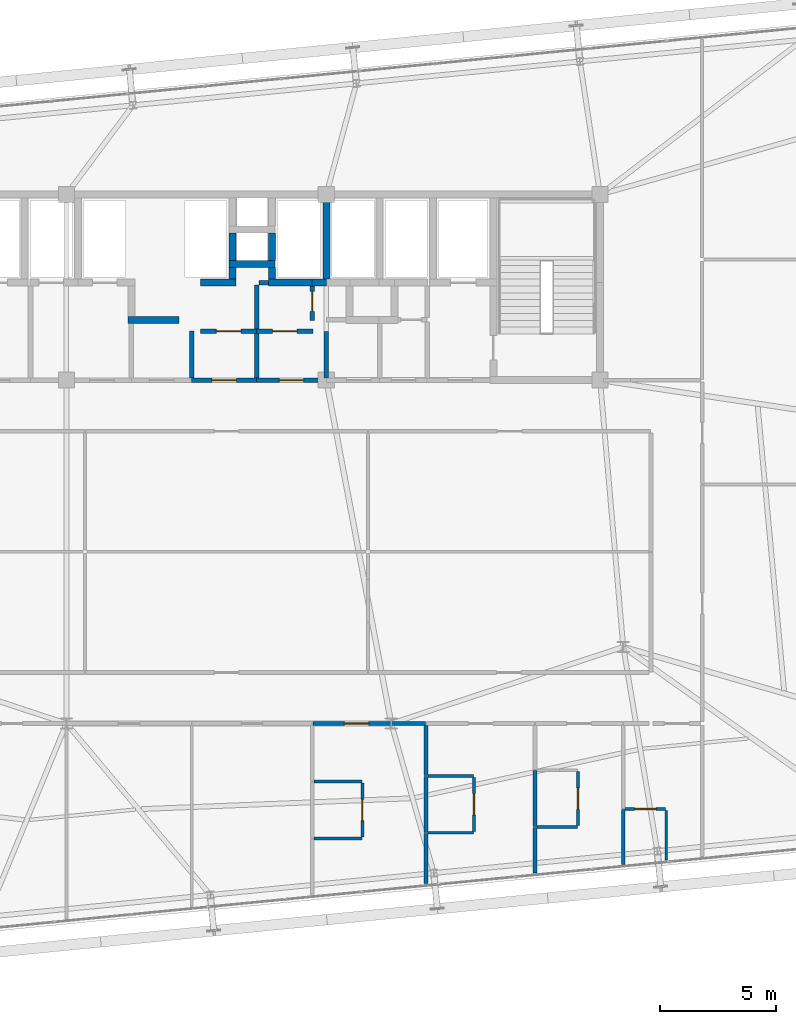
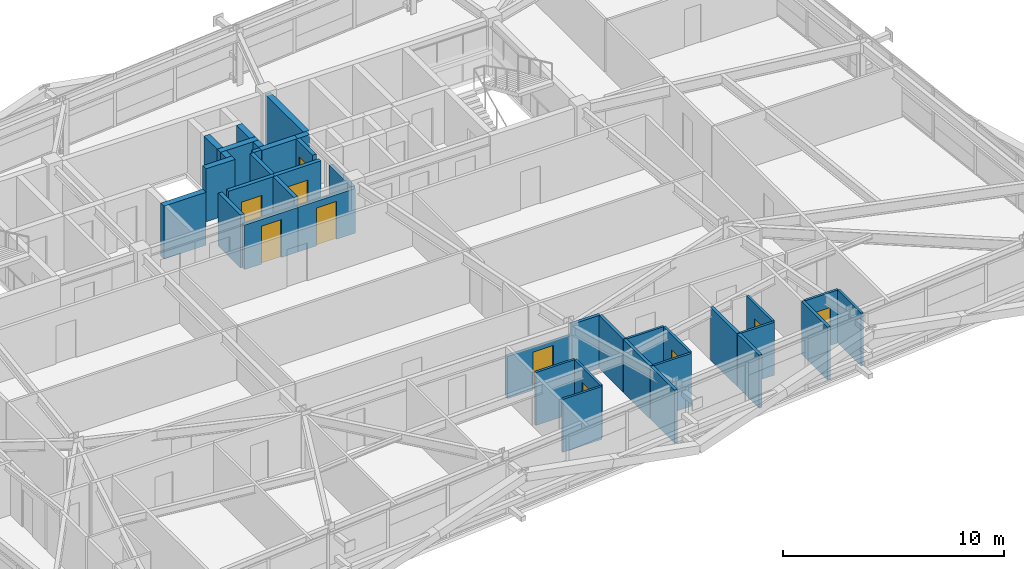
# One storey, part 48 of 54: 38 walls, 10 doors, 10 openings.
"""IFC4 building model written with IfcOpenShell, lengths in metres."""

from ifc_helpers import new_model, si_unit, direction, frame, frame_2d, origin, place, context, subcontext, project, spatial, rectangle, extrude, source, transform, mapped, material, layer, layer_set, type_object, element, fill, save


model = new_model("IFC4")

# Units and contexts
model_context = context("Model", 3, precision=1e-05, world=origin(), true_north=direction((0.0, 1.0)))
body_context = subcontext(model_context, "Body", "Model", "MODEL_VIEW")
ifc_project = project(units=[si_unit("LENGTHUNIT", "METRE"), si_unit("AREAUNIT", "SQUARE_METRE"), si_unit("VOLUMEUNIT", "CUBIC_METRE"), si_unit("PLANEANGLEUNIT", "RADIAN"), si_unit("MASSUNIT", "GRAM", prefix="KILO")], contexts=[model_context])

# Site, building, storey
site_placement = place(None, origin())
site = spatial("IfcSite", under=ifc_project, at=site_placement, CompositionType="ELEMENT")
building_placement = place(site_placement, origin())
building = spatial("IfcBuilding", under=site, at=building_placement, Name="Taldren Reach Tower", CompositionType="ELEMENT")
storey_placement = place(building_placement, frame((0.0, 0.0, 102.89990234375)))
storey = spatial("IfcBuildingStorey", under=building, at=storey_placement, Name="L31", CompositionType="ELEMENT", Elevation=102.89990234375)

# Wall
ifc_material_1 = material(Name="Concrete S50 (50 MPa)", Category="concrete")
ifc_layer_1 = layer(ifc_material_1, 0.199951171875)
ifc_layer_set_1 = layer_set([ifc_layer_1], Name="Concrete S50 (50 MPa)")
wall_type_1 = type_object("IfcWallType", Name="IW-CORE-200", PredefinedType="SOLIDWALL", material=ifc_layer_set_1)
shared_shape_1 = source(origin(), body_context, "Body", "SweptSolid", [
    extrude(rectangle(XDim=2.02001953125, YDim=0.199951171875, at=frame_2d((1.010009765625, 0.0))), origin(), (0.0, 0.0, 1.0), 2.93017578125),
])
wall_1_placement = place(storey_placement, frame((33.39990234375, 26.1201171875, 0.0), z_axis=(0.0, 0.0, 1.0), x_axis=(0.0, -1.0, 0.0)))
element("IfcWall", 1, at=wall_1_placement, inside=storey, type_object=wall_type_1, Name="Rear Core Shear Wall W-INT-L31-044", PredefinedType="SOLIDWALL", context=body_context, shape_type="MappedRepresentation", body=[
    mapped(shared_shape_1, transform((0.0, 0.0, 0.0), scale=1.0)),
])

# Wall, opening, door
shared_shape_2 = source(origin(), body_context, "Body", "SweptSolid", [
    extrude(rectangle(XDim=2.419921875, YDim=0.199951171875, at=frame_2d((1.2099609375, 0.0))), origin(), (0.0, 0.0, 1.0), 2.93017578125),
])
wall_2_placement = place(storey_placement, frame((33.780029296875, 26.10009765625, 0.0), z_axis=(0.0, 0.0, 1.0), x_axis=(1.0, 0.0, 0.0)))
wall_2 = element("IfcWall", 2, at=wall_2_placement, inside=storey, type_object=wall_type_1, Name="Rear Core Shear Wall W-INT-L31-046", PredefinedType="SOLIDWALL", context=body_context, shape_type="MappedRepresentation", body=[
    mapped(shared_shape_2, transform((0.0, 0.0, 0.0), scale=1.0)),
])
shared_shape_3 = source(origin(), body_context, "Body", "SweptSolid", [
    extrude(rectangle(XDim=1.050048828125, YDim=2.10009765625, at=frame_2d((0.52490234375, 1.050048828125))), frame((0.0, 0.10986328125, 0.0), z_axis=(0.0, -1.0, 0.0), x_axis=(1.0, 0.0, 0.0)), (0.0, 0.0, 1.0), 0.219970703125),
])
opening_1_placement = place(wall_2_placement, frame((0.68505859375, 0.0, 0.0)))
opening_1 = element("IfcOpeningElement", 3, at=opening_1_placement, cuts=wall_2, Name="Opening DF-105", PredefinedType="OPENING", context=body_context, shape_type="MappedRepresentation", body=[
    mapped(shared_shape_3, transform((0.0, 0.0, 0.0), scale=1.0)),
])
ifc_material_2 = material(Name="Fire-Rated Care and Stair Exit Door")
door_type_1 = type_object("IfcDoorType", Name="ID-FIRE-105", OperationType="NOTDEFINED", PredefinedType="DOOR", material=ifc_material_2)
shared_shape_4 = source(origin(), body_context, "Body", "SweptSolid", [
    extrude(rectangle(XDim=1.050048828125, YDim=2.10009765625, at=frame_2d((0.52490234375, 1.050048828125))), frame((0.0, 0.02490234375, 0.0), z_axis=(0.0, -1.0, 0.0), x_axis=(1.0, 0.0, 0.0)), (0.0, 0.0, 1.0), 0.050048828125),
])
door_1_placement = place(opening_1_placement, origin())
door_1 = element("IfcDoor", 4, at=door_1_placement, inside=storey, type_object=door_type_1, Name="Interior Door DR-L31-007", OperationType="SINGLE_SWING_RIGHT", OverallHeight=2.10009765625, OverallWidth=1.050048828125, PredefinedType="DOOR", context=body_context, shape_type="MappedRepresentation", body=[
    mapped(shared_shape_4, transform((0.0, 0.0, 0.0), scale=1.0)),
])
fill(opening_1, door_1)

# Wall
shared_shape_5 = source(origin(), body_context, "Body", "SweptSolid", [
    extrude(rectangle(XDim=1.89990234375, YDim=0.199951171875, at=frame_2d((0.949951171875, 0.0))), origin(), (0.0, 0.0, 1.0), 2.93017578125),
])
wall_3_placement = place(storey_placement, frame((36.199951171875, 26.0, 0.0), z_axis=(0.0, 0.0, 1.0), x_axis=(0.0, -1.0, 0.0)))
element("IfcWall", 5, at=wall_3_placement, inside=storey, type_object=wall_type_1, Name="Rear Core Shear Wall W-INT-L31-047", PredefinedType="SOLIDWALL", context=body_context, shape_type="MappedRepresentation", body=[
    mapped(shared_shape_5, transform((0.0, 0.0, 0.0), scale=1.0)),
])

# Wall, opening, door
shared_shape_6 = source(origin(), body_context, "Body", "SweptSolid", [
    extrude(rectangle(XDim=2.800048828125, YDim=0.199951171875, at=frame_2d((1.39990234375, 0.0))), origin(), (0.0, 0.0, 1.0), 2.47021484375),
])
wall_4_placement = place(storey_placement, frame((36.199951171875, 24.0, 0.0), z_axis=(0.0, 0.0, 1.0), x_axis=(-1.0, 0.0, 0.0)))
wall_4 = element("IfcWall", 6, at=wall_4_placement, inside=storey, type_object=wall_type_1, Name="Rear Core Shear Wall W-INT-L31-048", PredefinedType="SOLIDWALL", context=body_context, shape_type="MappedRepresentation", body=[
    mapped(shared_shape_6, transform((0.0, 0.0, 0.0), scale=1.0)),
])
opening_2_placement = place(wall_4_placement, frame((0.875, 0.0, 0.0)))
opening_2 = element("IfcOpeningElement", 7, at=opening_2_placement, cuts=wall_4, Name="Opening DF-105", PredefinedType="OPENING", context=body_context, shape_type="MappedRepresentation", body=[
    mapped(shared_shape_3, transform((0.0, 0.0, 0.0), scale=1.0)),
])
door_2_placement = place(opening_2_placement, frame((1.050048828125, 0.0, 0.0), z_axis=(0.0, 0.0, 1.0), x_axis=(-1.0, 0.0, 0.0)))
door_2 = element("IfcDoor", 8, at=door_2_placement, inside=storey, type_object=door_type_1, Name="Interior Door DR-L31-008", OperationType="SINGLE_SWING_RIGHT", OverallHeight=2.10009765625, OverallWidth=1.050048828125, PredefinedType="DOOR", context=body_context, shape_type="MappedRepresentation", body=[
    mapped(shared_shape_4, transform((0.0, 0.0, 0.0), scale=1.0)),
])
fill(opening_2, door_2)

# Wall
shared_shape_7 = source(origin(), body_context, "Body", "SweptSolid", [
    extrude(rectangle(XDim=1.900146484375, YDim=0.199951171875, at=frame_2d((0.9501953125, 0.0))), origin(), (0.0, 0.0, 1.0), 2.93017578125),
])
wall_5_placement = place(storey_placement, frame((36.199951171875, 28.10009765625, 0.0), z_axis=(0.0, 0.0, 1.0), x_axis=(0.0, -1.0, 0.0)))
element("IfcWall", 9, at=wall_5_placement, inside=storey, type_object=wall_type_1, Name="Rear Core Shear Wall W-INT-L31-049", PredefinedType="SOLIDWALL", context=body_context, shape_type="MappedRepresentation", body=[
    mapped(shared_shape_7, transform((0.0, 0.0, 0.0), scale=1.0)),
])

# Wall, opening, door
shared_shape_8 = source(origin(), body_context, "Body", "SweptSolid", [
    extrude(rectangle(XDim=2.420166015625, YDim=0.199951171875, at=frame_2d((1.2099609375, 0.0))), origin(), (0.0, 0.0, 1.0), 2.93017578125),
])
wall_6_placement = place(storey_placement, frame((36.199951171875, 26.10009765625, 0.0), z_axis=(0.0, 0.0, 1.0), x_axis=(1.0, 0.0, 0.0)))
wall_6 = element("IfcWall", 10, at=wall_6_placement, inside=storey, type_object=wall_type_1, Name="Rear Core Shear Wall W-INT-L31-051", PredefinedType="SOLIDWALL", context=body_context, shape_type="MappedRepresentation", body=[
    mapped(shared_shape_8, transform((0.0, 0.0, 0.0), scale=1.0)),
])
opening_3_placement = place(wall_6_placement, frame((0.68505859375, 0.0, 0.0)))
opening_3 = element("IfcOpeningElement", 11, at=opening_3_placement, cuts=wall_6, Name="Opening DF-105", PredefinedType="OPENING", context=body_context, shape_type="MappedRepresentation", body=[
    mapped(shared_shape_3, transform((0.0, 0.0, 0.0), scale=1.0)),
])
door_3_placement = place(opening_3_placement, origin())
door_3 = element("IfcDoor", 12, at=door_3_placement, inside=storey, type_object=door_type_1, Name="Interior Door DR-L31-009", OperationType="SINGLE_SWING_RIGHT", OverallHeight=2.10009765625, OverallWidth=1.050048828125, PredefinedType="DOOR", context=body_context, shape_type="MappedRepresentation", body=[
    mapped(shared_shape_4, transform((0.0, 0.0, 0.0), scale=1.0)),
])
fill(opening_3, door_3)

# Wall
shared_shape_9 = source(origin(), body_context, "Body", "SweptSolid", [
    extrude(rectangle(XDim=2.0, YDim=0.199951171875, at=frame_2d((1.0, 0.0))), origin(), (0.0, 0.0, 1.0), 2.47021484375),
])
wall_7_placement = place(storey_placement, frame((39.199951171875, 26.10009765625, 0.0), z_axis=(0.0, 0.0, 1.0), x_axis=(0.0, -1.0, 0.0)))
element("IfcWall", 13, at=wall_7_placement, inside=storey, type_object=wall_type_1, Name="Rear Core Shear Wall W-INT-L31-052", PredefinedType="SOLIDWALL", context=body_context, shape_type="MappedRepresentation", body=[
    mapped(shared_shape_9, transform((0.0, 0.0, 0.0), scale=1.0)),
])

# Wall, opening, door
shared_shape_10 = source(origin(), body_context, "Body", "SweptSolid", [
    extrude(rectangle(XDim=3.0, YDim=0.199951171875, at=frame_2d((1.5, 0.0))), origin(), (0.0, 0.0, 1.0), 2.47021484375),
])
wall_8_placement = place(storey_placement, frame((39.199951171875, 24.0, 0.0), z_axis=(0.0, 0.0, 1.0), x_axis=(-1.0, 0.0, 0.0)))
wall_8 = element("IfcWall", 14, at=wall_8_placement, inside=storey, type_object=wall_type_1, Name="Rear Core Shear Wall W-INT-L31-053", PredefinedType="SOLIDWALL", context=body_context, shape_type="MappedRepresentation", body=[
    mapped(shared_shape_10, transform((0.0, 0.0, 0.0), scale=1.0)),
])
opening_4_placement = place(wall_8_placement, frame((0.97509765625, 0.0, 0.0)))
opening_4 = element("IfcOpeningElement", 15, at=opening_4_placement, cuts=wall_8, Name="Opening DF-105", PredefinedType="OPENING", context=body_context, shape_type="MappedRepresentation", body=[
    mapped(shared_shape_3, transform((0.0, 0.0, 0.0), scale=1.0)),
])
door_4_placement = place(opening_4_placement, frame((1.050048828125, 0.0, 0.0), z_axis=(0.0, 0.0, 1.0), x_axis=(-1.0, 0.0, 0.0)))
door_4 = element("IfcDoor", 16, at=door_4_placement, inside=storey, type_object=door_type_1, Name="Interior Door DR-L31-010", OperationType="SINGLE_SWING_RIGHT", OverallHeight=2.10009765625, OverallWidth=1.050048828125, PredefinedType="DOOR", context=body_context, shape_type="MappedRepresentation", body=[
    mapped(shared_shape_4, transform((0.0, 0.0, 0.0), scale=1.0)),
])
fill(opening_4, door_4)

ifc_material_3 = material(Name="Insulated Residential Stud Partition", Category="gypsum")
ifc_layer_2 = layer(ifc_material_3, 0.1201171875)
ifc_layer_set_2 = layer_set([ifc_layer_2], Name="Insulated Residential Stud Partition")
wall_type_2 = type_object("IfcWallType", Name="IW-PART-120", PredefinedType="PARTITIONING", material=ifc_layer_set_2)
shared_shape_11 = source(origin(), body_context, "Body", "SweptSolid", [
    extrude(rectangle(XDim=2.330078125, YDim=0.1201171875, at=frame_2d((1.1650390625, 0.0))), origin(), (0.0, 0.0, 1.0), 2.93017578125),
])
wall_9_placement = place(storey_placement, frame((40.756103515625, 4.30810546875, 0.0), z_axis=(0.0, 0.0, 1.0), x_axis=(0.0, 1.0, 0.0)))
wall_9 = element("IfcWall", 17, at=wall_9_placement, inside=storey, type_object=wall_type_2, Name="Interior Partition Wall W-INT-L31-110", PredefinedType="PARTITIONING", context=body_context, shape_type="MappedRepresentation", body=[
    mapped(shared_shape_11, transform((0.0, 0.0, 0.0), scale=1.0)),
])
shared_shape_12 = source(origin(), body_context, "Body", "SweptSolid", [
    extrude(rectangle(XDim=0.919921875, YDim=2.10009765625, at=frame_2d((0.4599609375, 1.050048828125))), frame((0.0, 0.070068359375, 0.0), z_axis=(0.0, -1.0, 0.0), x_axis=(1.0, 0.0, 0.0)), (0.0, 0.0, 1.0), 0.14013671875),
])
opening_5_placement = place(wall_9_placement, frame((0.705078125, 0.0, 0.0)))
opening_5 = element("IfcOpeningElement", 18, at=opening_5_placement, cuts=wall_9, Name="Opening DI-092", PredefinedType="OPENING", context=body_context, shape_type="MappedRepresentation", body=[
    mapped(shared_shape_12, transform((0.0, 0.0, 0.0), scale=1.0)),
])
ifc_material_4 = material(Name="Solid-Core Timber Suite Door", Category="wood")
door_type_2 = type_object("IfcDoorType", Name="ID-INT-092", OperationType="NOTDEFINED", PredefinedType="DOOR", material=ifc_material_4)
shared_shape_13 = source(origin(), body_context, "Body", "SweptSolid", [
    extrude(rectangle(XDim=0.919921875, YDim=2.10009765625, at=frame_2d((0.4599609375, 1.050048828125))), frame((0.0, 0.02490234375, 0.0), z_axis=(0.0, -1.0, 0.0), x_axis=(1.0, 0.0, 0.0)), (0.0, 0.0, 1.0), 0.050048828125),
])
door_5_placement = place(opening_5_placement, origin())
door_5 = element("IfcDoor", 19, at=door_5_placement, inside=storey, type_object=door_type_2, Name="Interior Door DR-L31-036", OperationType="SINGLE_SWING_LEFT", OverallHeight=2.10009765625, OverallWidth=0.919921875, PredefinedType="DOOR", context=body_context, shape_type="MappedRepresentation", body=[
    mapped(shared_shape_13, transform((0.0, 0.0, 0.0), scale=1.0)),
])
fill(opening_5, door_5)

wall_10_placement = place(storey_placement, frame((45.568115234375, 4.54833984375, 0.0), z_axis=(0.0, 0.0, 1.0), x_axis=(0.0, 1.0, 0.0)))
wall_10 = element("IfcWall", 20, at=wall_10_placement, inside=storey, type_object=wall_type_2, Name="Interior Partition Wall W-INT-L31-116", PredefinedType="PARTITIONING", context=body_context, shape_type="MappedRepresentation", body=[
    mapped(shared_shape_11, transform((0.0, 0.0, 0.0), scale=1.0)),
])
opening_6_placement = place(wall_10_placement, frame((0.705078125, 0.0, 0.0)))
opening_6 = element("IfcOpeningElement", 21, at=opening_6_placement, cuts=wall_10, Name="Opening DI-092", PredefinedType="OPENING", context=body_context, shape_type="MappedRepresentation", body=[
    mapped(shared_shape_12, transform((0.0, 0.0, 0.0), scale=1.0)),
])
door_6_placement = place(opening_6_placement, origin())
door_6 = element("IfcDoor", 22, at=door_6_placement, inside=storey, type_object=door_type_2, Name="Interior Door DR-L31-037", OperationType="SINGLE_SWING_RIGHT", OverallHeight=2.10009765625, OverallWidth=0.919921875, PredefinedType="DOOR", context=body_context, shape_type="MappedRepresentation", body=[
    mapped(shared_shape_13, transform((0.0, 0.0, 0.0), scale=1.0)),
])
fill(opening_6, door_6)

wall_11_placement = place(storey_placement, frame((50.050048828125, 4.797607421875, 0.0), z_axis=(0.0, 0.0, 1.0), x_axis=(0.0, 1.0, 0.0)))
wall_11 = element("IfcWall", 23, at=wall_11_placement, inside=storey, type_object=wall_type_2, Name="Interior Partition Wall W-INT-L31-122", PredefinedType="PARTITIONING", context=body_context, shape_type="MappedRepresentation", body=[
    mapped(shared_shape_11, transform((0.0, 0.0, 0.0), scale=1.0)),
])
opening_7_placement = place(wall_11_placement, frame((0.705078125, 0.0, 0.0)))
opening_7 = element("IfcOpeningElement", 24, at=opening_7_placement, cuts=wall_11, Name="Opening DI-092", PredefinedType="OPENING", context=body_context, shape_type="MappedRepresentation", body=[
    mapped(shared_shape_12, transform((0.0, 0.0, 0.0), scale=1.0)),
])
door_7_placement = place(opening_7_placement, origin())
door_7 = element("IfcDoor", 25, at=door_7_placement, inside=storey, type_object=door_type_2, Name="Interior Door DR-L31-038", OperationType="SINGLE_SWING_LEFT", OverallHeight=2.10009765625, OverallWidth=0.919921875, PredefinedType="DOOR", context=body_context, shape_type="MappedRepresentation", body=[
    mapped(shared_shape_13, transform((0.0, 0.0, 0.0), scale=1.0)),
])
fill(opening_7, door_7)

# Wall
shared_shape_14 = source(origin(), body_context, "Body", "SweptSolid", [
    extrude(rectangle(XDim=1.749755859375, YDim=0.1201171875, at=frame_2d((0.875, 0.0))), origin(), (0.0, 0.0, 1.0), 2.93017578125),
])
wall_12_placement = place(storey_placement, frame((48.280029296875, 4.73779296875, 0.0), z_axis=(0.0, 0.0, 1.0), x_axis=(1.0, 0.0, 0.0)))
element("IfcWall", 26, at=wall_12_placement, inside=storey, type_object=wall_type_2, Name="Interior Partition Wall W-INT-L31-123", PredefinedType="PARTITIONING", context=body_context, shape_type="MappedRepresentation", body=[
    mapped(shared_shape_14, transform((0.0, 0.0, 0.0), scale=1.0)),
])

# Wall, opening, door
wall_13_placement = place(storey_placement, frame((53.829833984375, 5.51025390625, 0.0), z_axis=(0.0, 0.0, 1.0), x_axis=(-1.0, 0.0, 0.0)))
wall_13 = element("IfcWall", 27, at=wall_13_placement, inside=storey, type_object=wall_type_2, Name="Interior Partition Wall W-INT-L31-128", PredefinedType="PARTITIONING", context=body_context, shape_type="MappedRepresentation", body=[
    mapped(shared_shape_14, transform((0.0, 0.0, 0.0), scale=1.0)),
])
opening_8_placement = place(wall_13_placement, frame((0.414794921875, 0.0, 0.0)))
opening_8 = element("IfcOpeningElement", 28, at=opening_8_placement, cuts=wall_13, Name="Opening DI-092", PredefinedType="OPENING", context=body_context, shape_type="MappedRepresentation", body=[
    mapped(shared_shape_12, transform((0.0, 0.0, 0.0), scale=1.0)),
])
door_8_placement = place(opening_8_placement, origin())
door_8 = element("IfcDoor", 29, at=door_8_placement, inside=storey, type_object=door_type_2, Name="Interior Door DR-L31-039", OperationType="SINGLE_SWING_RIGHT", OverallHeight=2.10009765625, OverallWidth=0.919921875, PredefinedType="DOOR", context=body_context, shape_type="MappedRepresentation", body=[
    mapped(shared_shape_13, transform((0.0, 0.0, 0.0), scale=1.0)),
])
fill(opening_8, door_8)

# Walls
ifc_material_5 = material(Name="Fire-Rated Acoustic Plasterboard Stud Wall", Category="gypsum")
ifc_layer_3 = layer(ifc_material_5, 0.159912109375)
ifc_layer_set_3 = layer_set([ifc_layer_3], Name="Fire-Rated Acoustic Plasterboard Stud Wall")
wall_type_3 = type_object("IfcWallType", Name="IW-FIRE-160", PredefinedType="PARTITIONING", material=ifc_layer_set_3)
shared_shape_15 = source(origin(), body_context, "Body", "SweptSolid", [
    extrude(rectangle(XDim=2.40966796875, YDim=0.159912109375, at=frame_2d((1.204833984375, 0.0))), origin(), (0.0, 0.0, 1.0), 2.93017578125),
])
for number, where, z_axis, x_axis, name in (
    (30, (43.5, 6.918212890625, 0.0), (0.0, 0.0, 1.0), (0.0, -1.0, 0.0), "Interior Partition Wall W-INT-L31-115"),
    (31, (48.199951171875, 7.16748046875, 0.0), (0.0, 0.0, 1.0), (0.0, -1.0, 0.0), "Interior Partition Wall W-INT-L31-121"),
):
    element("IfcWall", number, at=place(storey_placement, frame(where, z_axis=z_axis, x_axis=x_axis)), inside=storey, type_object=wall_type_3, Name=name, PredefinedType="PARTITIONING", context=body_context, shape_type="MappedRepresentation", body=[
        mapped(shared_shape_15, transform((0.0, 0.0, 0.0), scale=1.0)),
    ])
shared_shape_16 = source(origin(), body_context, "Body", "SweptSolid", [
    extrude(rectangle(XDim=2.055908203125, YDim=0.1201171875, at=frame_2d((1.02783203125, 0.0))), origin(), (0.0, 0.0, 1.0), 2.93017578125),
])
for number, where, z_axis, x_axis, name in (
    (32, (38.679931640625, 4.248291015625, 0.0), (0.0, 0.0, 1.0), (1.0, 0.0, 0.0), "Interior Partition Wall W-INT-L31-111"),
    (33, (40.73583984375, 6.6982421875, 0.0), (0.0, 0.0, 1.0), (-1.0, 0.0, 0.0), "Interior Partition Wall W-INT-L31-112"),
):
    element("IfcWall", number, at=place(storey_placement, frame(where, z_axis=z_axis, x_axis=x_axis)), inside=storey, type_object=wall_type_2, Name=name, PredefinedType="PARTITIONING", context=body_context, shape_type="MappedRepresentation", body=[
        mapped(shared_shape_16, transform((0.0, 0.0, 0.0), scale=1.0)),
    ])
ifc_material_6 = material(Name="Concrete S65 (65 MPa)", Category="concrete")
ifc_layer_4 = layer(ifc_material_6, 0.300048828125)
ifc_layer_set_4 = layer_set([ifc_layer_4], Name="Concrete S65 (65 MPa)")
wall_type_4 = type_object("IfcWallType", Name="IW-CORE-300", PredefinedType="SHEAR", material=ifc_layer_set_4)
shared_shape_17 = source(origin(), body_context, "Body", "SweptSolid", [
    extrude(rectangle(XDim=3.5, YDim=0.300048828125, at=frame_2d((1.75, 0.0))), origin(), (0.0, 0.0, 1.0), 2.93017578125),
])
wall_14_placement = place(storey_placement, frame((39.199951171875, 28.35009765625, 0.0), z_axis=(0.0, 0.0, 1.0), x_axis=(0.0, 1.0, 0.0)))
element("IfcWall", 34, at=wall_14_placement, inside=storey, type_object=wall_type_4, Name="Rear Core Shear Wall W-INT-L31-037", PredefinedType="SHEAR", context=body_context, shape_type="MappedRepresentation", body=[
    mapped(shared_shape_17, transform((0.0, 0.0, 0.0), scale=1.0)),
])
shared_shape_18 = source(origin(), body_context, "Body", "SweptSolid", [
    extrude(rectangle(XDim=2.0, YDim=0.300048828125, at=frame_2d((1.0, 0.0))), origin(), (0.0, 0.0, 1.0), 2.93017578125),
])
wall_15_placement = place(storey_placement, frame((35.0, 29.0, 0.0), z_axis=(0.0, 0.0, 1.0), x_axis=(1.0, 0.0, 0.0)))
element("IfcWall", 35, at=wall_15_placement, inside=storey, type_object=wall_type_4, Name="Rear Core Shear Wall W-INT-L31-021", PredefinedType="SHEAR", context=body_context, shape_type="MappedRepresentation", body=[
    mapped(shared_shape_18, transform((0.0, 0.0, 0.0), scale=1.0)),
])
shared_shape_19 = source(origin(), body_context, "Body", "SweptSolid", [
    extrude(rectangle(XDim=1.2001953125, YDim=0.300048828125, at=frame_2d((0.60009765625, 0.0))), origin(), (0.0, 0.0, 1.0), 2.93017578125),
])
for number, where, z_axis, x_axis, name in (
    (36, (35.14990234375, 30.35009765625, 0.0), (0.0, 0.0, 1.0), (0.0, -1.0, 0.0), "Rear Core Shear Wall W-INT-L31-019"),
    (37, (36.85009765625, 29.14990234375, 0.0), (0.0, 0.0, 1.0), (0.0, 1.0, 0.0), "Rear Core Shear Wall W-INT-L31-020"),
):
    element("IfcWall", number, at=place(storey_placement, frame(where, z_axis=z_axis, x_axis=x_axis)), inside=storey, type_object=wall_type_4, Name=name, PredefinedType="SHEAR", context=body_context, shape_type="MappedRepresentation", body=[
        mapped(shared_shape_19, transform((0.0, 0.0, 0.0), scale=1.0)),
    ])
shared_shape_20 = source(origin(), body_context, "Body", "SweptSolid", [
    extrude(rectangle(XDim=0.5, YDim=0.300048828125, at=frame_2d((0.25, 0.0))), origin(), (0.0, 0.0, 1.0), 2.93017578125),
])
for number, where, z_axis, x_axis, name in (
    (38, (35.14990234375, 28.35009765625, 0.0), (0.0, 0.0, 1.0), (0.0, 1.0, 0.0), "Rear Core Shear Wall W-INT-L31-036"),
    (39, (36.85009765625, 28.85009765625, 0.0), (0.0, 0.0, 1.0), (0.0, -1.0, 0.0), "Rear Core Shear Wall W-INT-L31-038"),
):
    element("IfcWall", number, at=place(storey_placement, frame(where, z_axis=z_axis, x_axis=x_axis)), inside=storey, type_object=wall_type_4, Name=name, PredefinedType="SHEAR", context=body_context, shape_type="MappedRepresentation", body=[
        mapped(shared_shape_20, transform((0.0, 0.0, 0.0), scale=1.0)),
    ])
shared_shape_21 = source(origin(), body_context, "Body", "SweptSolid", [
    extrude(rectangle(XDim=2.363525390625, YDim=0.159912109375, at=frame_2d((1.181640625, 0.0))), origin(), (0.0, 0.0, 1.0), 2.93017578125),
])
wall_16_placement = place(storey_placement, frame((52.0, 5.489990234375, 0.0), z_axis=(0.0, 0.0, 1.0), x_axis=(0.0, -1.0, 0.0)))
element("IfcWall", 40, at=wall_16_placement, inside=storey, type_object=wall_type_3, Name="Interior Partition Wall W-INT-L31-126", PredefinedType="PARTITIONING", context=body_context, shape_type="MappedRepresentation", body=[
    mapped(shared_shape_21, transform((0.0, 0.0, 0.0), scale=1.0)),
])
shared_shape_22 = source(origin(), body_context, "Body", "SweptSolid", [
    extrude(rectangle(XDim=2.12841796875, YDim=0.1201171875, at=frame_2d((1.064208984375, 0.0))), origin(), (0.0, 0.0, 1.0), 2.93017578125),
])
wall_17_placement = place(storey_placement, frame((53.85009765625, 3.32177734375, 0.0), z_axis=(0.0, 0.0, 1.0), x_axis=(0.0, 1.0, 0.0)))
element("IfcWall", 41, at=wall_17_placement, inside=storey, type_object=wall_type_2, Name="Interior Partition Wall W-INT-L31-127", PredefinedType="PARTITIONING", context=body_context, shape_type="MappedRepresentation", body=[
    mapped(shared_shape_22, transform((0.0, 0.0, 0.0), scale=1.0)),
])
shared_shape_23 = source(origin(), body_context, "Body", "SweptSolid", [
    extrude(rectangle(XDim=2.2001953125, YDim=0.300048828125, at=frame_2d((1.10009765625, 0.0))), origin(), (0.0, 0.0, 1.0), 2.93017578125),
])
wall_18_placement = place(storey_placement, frame((30.64990234375, 26.60009765625, 0.0), z_axis=(0.0, 0.0, 1.0), x_axis=(1.0, 0.0, 0.0)))
element("IfcWall", 42, at=wall_18_placement, inside=storey, type_object=wall_type_4, Name="Rear Core Shear Wall W-INT-L31-023", PredefinedType="SHEAR", context=body_context, shape_type="MappedRepresentation", body=[
    mapped(shared_shape_23, transform((0.0, 0.0, 0.0), scale=1.0)),
])
shared_shape_24 = source(origin(), body_context, "Body", "SweptSolid", [
    extrude(rectangle(XDim=1.52001953125, YDim=0.300048828125, at=frame_2d((0.760009765625, 0.0))), origin(), (0.0, 0.0, 1.0), 2.93017578125),
])
wall_19_placement = place(storey_placement, frame((33.780029296875, 28.199951171875, 0.0), z_axis=(0.0, 0.0, 1.0), x_axis=(1.0, 0.0, 0.0)))
element("IfcWall", 43, at=wall_19_placement, inside=storey, type_object=wall_type_4, Name="Rear Core Shear Wall W-INT-L31-035", PredefinedType="SHEAR", context=body_context, shape_type="MappedRepresentation", body=[
    mapped(shared_shape_24, transform((0.0, 0.0, 0.0), scale=1.0)),
])
shared_shape_25 = source(origin(), body_context, "Body", "SweptSolid", [
    extrude(rectangle(XDim=1.920166015625, YDim=0.300048828125, at=frame_2d((0.9599609375, 0.0))), origin(), (0.0, 0.0, 1.0), 2.93017578125),
])
wall_20_placement = place(storey_placement, frame((36.699951171875, 28.199951171875, 0.0), z_axis=(0.0, 0.0, 1.0), x_axis=(1.0, 0.0, 0.0)))
element("IfcWall", 44, at=wall_20_placement, inside=storey, type_object=wall_type_4, Name="Rear Core Shear Wall W-INT-L31-039", PredefinedType="SHEAR", context=body_context, shape_type="MappedRepresentation", body=[
    mapped(shared_shape_25, transform((0.0, 0.0, 0.0), scale=1.0)),
])
shared_shape_26 = source(origin(), body_context, "Body", "SweptSolid", [
    extrude(rectangle(XDim=0.619873046875, YDim=0.300048828125, at=frame_2d((0.31005859375, 0.0))), origin(), (0.0, 0.0, 1.0), 2.93017578125),
])
wall_21_placement = place(storey_placement, frame((38.580078125, 28.199951171875, 0.0), z_axis=(0.0, 0.0, 1.0), x_axis=(1.0, 0.0, 0.0)))
element("IfcWall", 45, at=wall_21_placement, inside=storey, type_object=wall_type_4, Name="Rear Core Shear Wall W-INT-L31-040", PredefinedType="SHEAR", context=body_context, shape_type="MappedRepresentation", body=[
    mapped(shared_shape_26, transform((0.0, 0.0, 0.0), scale=1.0)),
])
shared_shape_27 = source(origin(), body_context, "Body", "SweptSolid", [
    extrude(rectangle(XDim=0.39990234375, YDim=0.199951171875, at=frame_2d((0.199951171875, 0.0))), origin(), (0.0, 0.0, 1.0), 2.93017578125),
])
wall_22_placement = place(storey_placement, frame((36.699951171875, 28.199951171875, 0.0), z_axis=(0.0, 0.0, 1.0), x_axis=(-1.0, 0.0, 0.0)))
element("IfcWall", 46, at=wall_22_placement, inside=storey, type_object=wall_type_1, Name="Rear Core Shear Wall W-INT-L31-050", PredefinedType="SOLIDWALL", context=body_context, shape_type="MappedRepresentation", body=[
    mapped(shared_shape_27, transform((0.0, 0.0, 0.0), scale=1.0)),
])

# Wall, opening, door
shared_shape_28 = source(origin(), body_context, "Body", "SweptSolid", [
    extrude(rectangle(XDim=1.469970703125, YDim=0.199951171875, at=frame_2d((0.73486328125, 0.0))), origin(), (0.0, 0.0, 1.0), 2.93017578125),
])
wall_23_placement = place(storey_placement, frame((38.60009765625, 28.050048828125, 0.0), z_axis=(0.0, 0.0, 1.0), x_axis=(0.0, -1.0, 0.0)))
wall_23 = element("IfcWall", 47, at=wall_23_placement, inside=storey, type_object=wall_type_1, Name="Rear Core Shear Wall W-INT-L31-054", PredefinedType="SOLIDWALL", context=body_context, shape_type="MappedRepresentation", body=[
    mapped(shared_shape_28, transform((0.0, 0.0, 0.0), scale=1.0)),
])
shared_shape_29 = source(origin(), body_context, "Body", "SweptSolid", [
    extrude(rectangle(XDim=0.860107421875, YDim=2.10009765625, at=frame_2d((0.43017578125, 1.050048828125))), frame((0.0, 0.10986328125, 0.0), z_axis=(0.0, -1.0, 0.0), x_axis=(1.0, 0.0, 0.0)), (0.0, 0.0, 1.0), 0.219970703125),
])
opening_9_placement = place(wall_23_placement, frame((0.22998046875, 0.0, 0.0)))
opening_9 = element("IfcOpeningElement", 48, at=opening_9_placement, cuts=wall_23, Name="Opening DI-086", PredefinedType="OPENING", context=body_context, shape_type="MappedRepresentation", body=[
    mapped(shared_shape_29, transform((0.0, 0.0, 0.0), scale=1.0)),
])
ifc_material_7 = material(Name="Timber Bathroom Door", Category="wood")
door_type_3 = type_object("IfcDoorType", Name="ID-INT-086", OperationType="NOTDEFINED", PredefinedType="DOOR", material=ifc_material_7)
shared_shape_30 = source(origin(), body_context, "Body", "SweptSolid", [
    extrude(rectangle(XDim=0.860107421875, YDim=2.10009765625, at=frame_2d((0.43017578125, 1.050048828125))), frame((0.0, 0.02490234375, 0.0), z_axis=(0.0, -1.0, 0.0), x_axis=(1.0, 0.0, 0.0)), (0.0, 0.0, 1.0), 0.050048828125),
])
door_9_placement = place(opening_9_placement, origin())
door_9 = element("IfcDoor", 49, at=door_9_placement, inside=storey, type_object=door_type_3, Name="Interior Door DR-L31-041", OperationType="SINGLE_SWING_RIGHT", OverallHeight=2.10009765625, OverallWidth=0.860107421875, PredefinedType="DOOR", context=body_context, shape_type="MappedRepresentation", body=[
    mapped(shared_shape_30, transform((0.0, 0.0, 0.0), scale=1.0)),
])
fill(opening_9, door_9)

# Wall
shared_shape_31 = source(origin(), body_context, "Body", "SweptSolid", [
    extrude(rectangle(XDim=1.479736328125, YDim=0.159912109375, at=frame_2d((0.73974609375, 0.0))), origin(), (0.0, 0.0, 1.0), 2.93017578125),
])
wall_24_placement = place(storey_placement, frame((43.479736328125, 9.199951171875, 0.0), z_axis=(0.0, 0.0, 1.0), x_axis=(-1.0, 0.0, 0.0)))
element("IfcWall", 50, at=wall_24_placement, inside=storey, type_object=wall_type_3, Name="Interior Partition Wall W-INT-L31-086", PredefinedType="PARTITIONING", context=body_context, shape_type="MappedRepresentation", body=[
    mapped(shared_shape_31, transform((0.0, 0.0, 0.0), scale=1.0)),
])

# Wall, opening, door
shared_shape_32 = source(origin(), body_context, "Body", "SweptSolid", [
    extrude(rectangle(XDim=3.379638671875, YDim=0.159912109375, at=frame_2d((1.68994140625, 0.0))), origin(), (0.0, 0.0, 1.0), 2.328125),
])
wall_25_placement = place(storey_placement, frame((42.0, 9.199951171875, 0.0), z_axis=(0.0, 0.0, 1.0), x_axis=(-1.0, 0.0, 0.0)))
wall_25 = element("IfcWall", 51, at=wall_25_placement, inside=storey, type_object=wall_type_3, Name="Interior Partition Wall W-INT-L31-086 part 2", PredefinedType="PARTITIONING", context=body_context, shape_type="MappedRepresentation", body=[
    mapped(shared_shape_32, transform((0.0, 0.0, 0.0), scale=1.0)),
])
shared_shape_33 = source(origin(), body_context, "Body", "SweptSolid", [
    extrude(rectangle(XDim=1.050048828125, YDim=2.10009765625, at=frame_2d((0.52490234375, 1.050048828125))), frame((0.0, 0.08984375, 0.0), z_axis=(0.0, -1.0, 0.0), x_axis=(1.0, 0.0, 0.0)), (0.0, 0.0, 1.0), 0.179931640625),
])
opening_10_placement = place(wall_25_placement, frame((0.97509765625, 0.0, 0.0)))
opening_10 = element("IfcOpeningElement", 52, at=opening_10_placement, cuts=wall_25, Name="Opening DF-105", PredefinedType="OPENING", context=body_context, shape_type="MappedRepresentation", body=[
    mapped(shared_shape_33, transform((0.0, 0.0, 0.0), scale=1.0)),
])
door_10_placement = place(opening_10_placement, origin())
door_10 = element("IfcDoor", 53, at=door_10_placement, inside=storey, type_object=door_type_1, Name="Interior Door DR-L31-032", OperationType="SINGLE_SWING_RIGHT", OverallHeight=2.10009765625, OverallWidth=1.050048828125, PredefinedType="DOOR", context=body_context, shape_type="MappedRepresentation", body=[
    mapped(shared_shape_4, transform((0.0, 0.0, 0.0), scale=1.0)),
])
fill(opening_10, door_10)

# Walls
shared_shape_34 = source(origin(), body_context, "Body", "SweptSolid", [
    extrude(rectangle(XDim=2.175048828125, YDim=0.159912109375, at=frame_2d((1.08740234375, 0.0))), origin(), (0.0, 0.0, 1.0), 2.93017578125),
])
wall_26_placement = place(storey_placement, frame((43.5, 4.46826171875, 0.0), z_axis=(0.0, 0.0, 1.0), x_axis=(0.0, -1.0, 0.0)))
element("IfcWall", 54, at=wall_26_placement, inside=storey, type_object=wall_type_3, Name="Interior Partition Wall W-INT-L31-113", PredefinedType="PARTITIONING", context=body_context, shape_type="MappedRepresentation", body=[
    mapped(shared_shape_34, transform((0.0, 0.0, 0.0), scale=1.0)),
])
shared_shape_35 = source(origin(), body_context, "Body", "SweptSolid", [
    extrude(rectangle(XDim=2.159423828125, YDim=0.159912109375, at=frame_2d((1.07958984375, 0.0))), origin(), (0.0, 0.0, 1.0), 2.93017578125),
])
wall_27_placement = place(storey_placement, frame((43.5, 9.117919921875, 0.0), z_axis=(0.0, 0.0, 1.0), x_axis=(0.0, -1.0, 0.0)))
element("IfcWall", 55, at=wall_27_placement, inside=storey, type_object=wall_type_3, Name="Interior Partition Wall W-INT-L31-114", PredefinedType="PARTITIONING", context=body_context, shape_type="MappedRepresentation", body=[
    mapped(shared_shape_35, transform((0.0, 0.0, 0.0), scale=1.0)),
])
shared_shape_36 = source(origin(), body_context, "Body", "SweptSolid", [
    extrude(rectangle(XDim=1.9677734375, YDim=0.1201171875, at=frame_2d((0.98388671875, 0.0))), origin(), (0.0, 0.0, 1.0), 2.93017578125),
])
for number, where, z_axis, x_axis, name in (
    (56, (43.580078125, 4.48828125, 0.0), (0.0, 0.0, 1.0), (1.0, 0.0, 0.0), "Interior Partition Wall W-INT-L31-117"),
    (57, (45.5478515625, 6.9384765625, 0.0), (0.0, 0.0, 1.0), (-1.0, 0.0, 0.0), "Interior Partition Wall W-INT-L31-118"),
):
    element("IfcWall", number, at=place(storey_placement, frame(where, z_axis=z_axis, x_axis=x_axis)), inside=storey, type_object=wall_type_2, Name=name, PredefinedType="PARTITIONING", context=body_context, shape_type="MappedRepresentation", body=[
        mapped(shared_shape_36, transform((0.0, 0.0, 0.0), scale=1.0)),
    ])
shared_shape_37 = source(origin(), body_context, "Body", "SweptSolid", [
    extrude(rectangle(XDim=1.963623046875, YDim=0.159912109375, at=frame_2d((0.98193359375, 0.0))), origin(), (0.0, 0.0, 1.0), 2.93017578125),
])
wall_28_placement = place(storey_placement, frame((48.199951171875, 4.717529296875, 0.0), z_axis=(0.0, 0.0, 1.0), x_axis=(0.0, -1.0, 0.0)))
element("IfcWall", 58, at=wall_28_placement, inside=storey, type_object=wall_type_3, Name="Interior Partition Wall W-INT-L31-119", PredefinedType="PARTITIONING", context=body_context, shape_type="MappedRepresentation", body=[
    mapped(shared_shape_37, transform((0.0, 0.0, 0.0), scale=1.0)),
])

save(model, "model.ifc")
